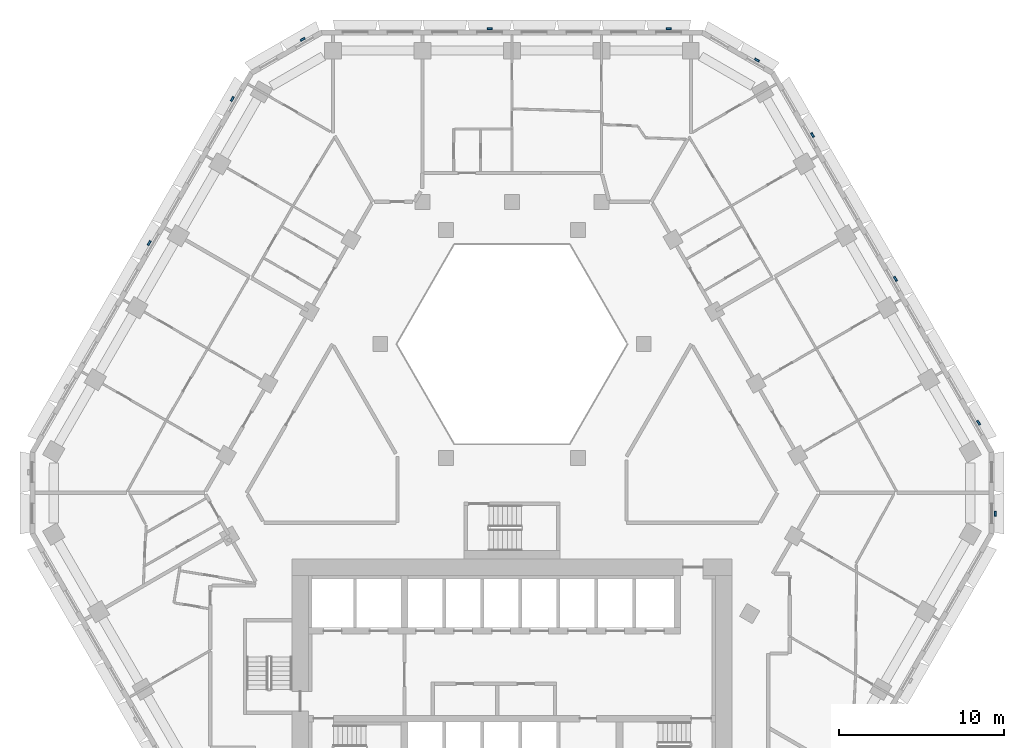
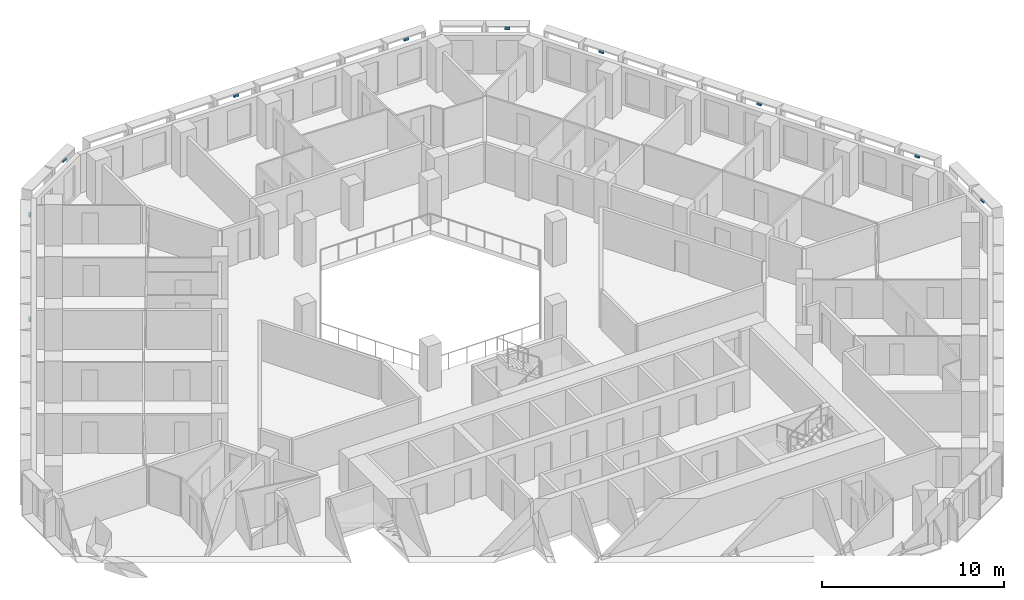
# One storey, part 12 of 18: 10 discrete accessories.
"""IFC4 building model written with IfcOpenShell, lengths in metres."""

from ifc_helpers import new_model, si_unit, direction, frame, origin, place, context, subcontext, project, spatial, polyline, outline, extrude, source, transform, mapped, material, type_object, type_shapes, element, save


model = new_model("IFC4")

# Units and contexts
model_context = context("Model", 3, precision=1e-05, world=origin(), true_north=direction((0.0, 1.0)))
body_context = subcontext(model_context, "Body", "Model", "MODEL_VIEW")
ifc_project = project(units=[si_unit("LENGTHUNIT", "METRE"), si_unit("AREAUNIT", "SQUARE_METRE"), si_unit("VOLUMEUNIT", "CUBIC_METRE"), si_unit("PLANEANGLEUNIT", "RADIAN"), si_unit("MASSUNIT", "GRAM", prefix="KILO")], contexts=[model_context])

# Site, building, storey
site_placement = place(None, origin())
site = spatial("IfcSite", under=ifc_project, at=site_placement, CompositionType="ELEMENT")
building_placement = place(site_placement, origin())
building = spatial("IfcBuilding", under=site, at=building_placement, Name="Beryl Residences", CompositionType="ELEMENT")
storey_placement = place(building_placement, frame((0.0, 0.0, 105.0)))
storey = spatial("IfcBuildingStorey", under=building, at=storey_placement, Name="L32", CompositionType="ELEMENT", Elevation=105.0)

# Discrete accessories
ifc_material = material(Name="Steel S355", Category="steel")
discrete_accessory_type = type_object("IfcDiscreteAccessoryType", Name="BR1 frame bracket 300 x 120 x 150 mm", PredefinedType="BRACKET", material=ifc_material)
shared_shape = source(origin(), body_context, "Body", "SweptSolid", [
    extrude(outline(polyline([(-0.14990234375, 0.0), (0.14990234375, 0.0), (0.14990234375, 0.1201171875), (-0.14990234375, 0.1201171875), (-0.14990234375, 0.0)])), origin(), (0.0, 0.0, 1.0), 0.14990234375),
])
type_shapes(discrete_accessory_type, [shared_shape])
for number, where, z_axis, x_axis, name in (
    (1, (9.471923828125, 27.0, 2.75), (0.0, 0.0, 1.0), (1.0, 0.0, 0.0), "BR1 bracket L32 N 1"),
    (2, (-1.35400390625, 27.0, 2.75), (0.0, 0.0, 1.0), (1.0, 0.0, 0.0), "BR1 bracket L32 N 5"),
    (3, (-12.6298828125, 26.375, 2.75), (0.0, 0.0, 1.0), (0.866025403784, 0.5, 0.0), "BR1 bracket L32 N-NW 1"),
    (4, (-16.865966796875, 22.7880859375, 2.75), (0.0, 0.0, 1.0), (0.5, 0.866025403784, 0.0), "BR1 bracket L32 NW 1"),
    (5, (-21.888916015625, 14.087890625, 2.75), (0.0, 0.0, 1.0), (0.5, 0.866025403784, 0.0), "BR1 bracket L32 NW 5"),
    (6, (29.156982421875, -2.25, 2.75), (0.0, 0.0, 1.0), (0.0, -1.0, 0.0), "BR1 bracket L32 SE-NE 1"),
    (7, (28.16796875, 3.2119140625, 2.75), (0.0, 0.0, 1.0), (0.5, -0.866025403784, 0.0), "BR1 bracket L32 NE 1"),
    (8, (23.14501953125, 11.912109375, 2.75), (0.0, 0.0, 1.0), (0.5, -0.866025403784, 0.0), "BR1 bracket L32 NE 5"),
    (9, (18.1220703125, 20.612060546875, 2.75), (0.0, 0.0, 1.0), (0.5, -0.866025403784, 0.0), "BR1 bracket L32 NE 9"),
    (10, (14.7939453125, 25.125, 2.75), (0.0, 0.0, 1.0), (0.866025403784, -0.5, 0.0), "BR1 bracket L32 NE-N 1"),
):
    element("IfcDiscreteAccessory", number, at=place(storey_placement, frame(where, z_axis=z_axis, x_axis=x_axis)), inside=storey, type_object=discrete_accessory_type, Name=name, PredefinedType="BRACKET", context=body_context, shape_type="MappedRepresentation", body=[
        mapped(shared_shape, transform((0.0, 0.0, 0.0))),
    ])

save(model, "model.ifc")
